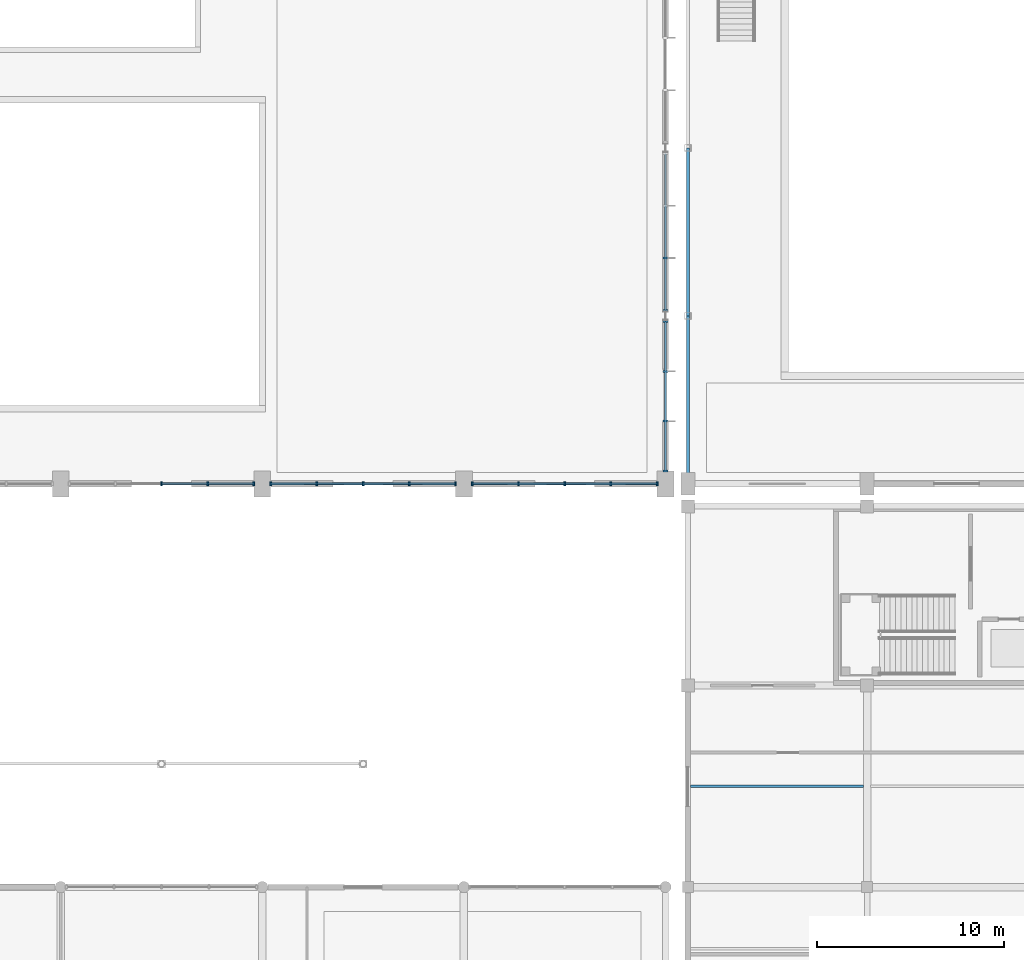
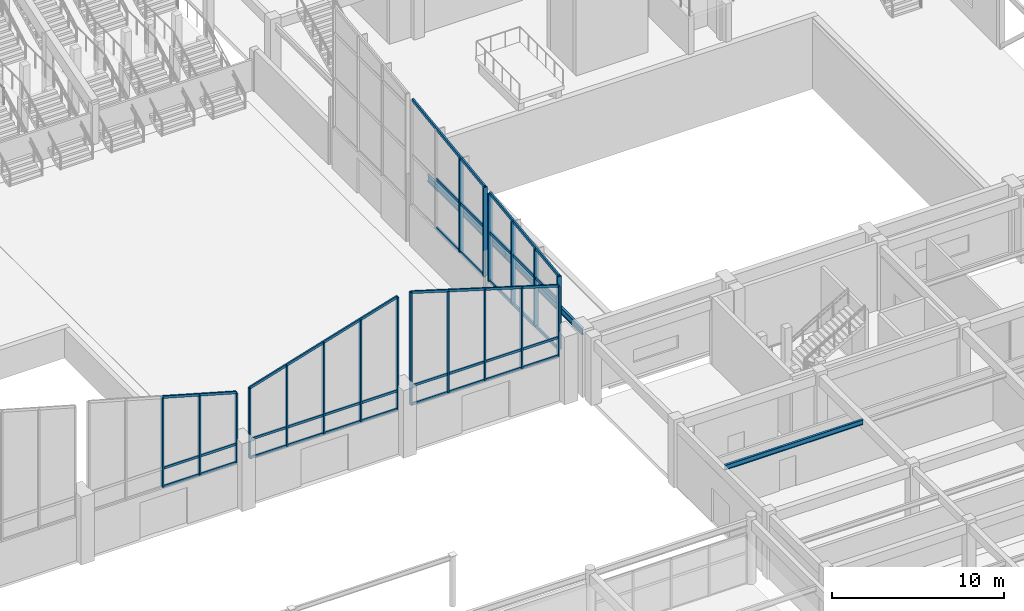
# One storey, part 35 of 82: 56 members, 3 beams, 5 elements without a shape of their own.
"""IFC4 building model written with IfcOpenShell, lengths in metres."""

from ifc_helpers import new_model, si_unit, direction, frame, origin, origin_2d, place, context, subcontext, project, spatial, rectangle, i_section, extrude, material, material_profile, profile_set, type_object, element, aggregate, save


model = new_model("IFC4")

# Units and contexts
model_context = context("Model", 3, precision=1e-05, world=origin(), true_north=direction((0.0, 1.0)))
body_context = subcontext(model_context, "Body", "Model", "MODEL_VIEW")
ifc_project = project(units=[si_unit("LENGTHUNIT", "METRE"), si_unit("AREAUNIT", "SQUARE_METRE"), si_unit("VOLUMEUNIT", "CUBIC_METRE"), si_unit("PLANEANGLEUNIT", "RADIAN"), si_unit("MASSUNIT", "GRAM", prefix="KILO")], contexts=[model_context])

# Site, building, storey
site_placement = place(None, origin())
site = spatial("IfcSite", under=ifc_project, at=site_placement, CompositionType="ELEMENT")
building_placement = place(site_placement, origin())
building = spatial("IfcBuilding", under=site, at=building_placement, Name="Suirenkawa Promenade Aquatics Centre", CompositionType="ELEMENT")
storey_placement = place(building_placement, origin())
storey = spatial("IfcBuildingStorey", under=building, at=storey_placement, Name="L00", CompositionType="ELEMENT", Elevation=0.0)

# Beams
ifc_material_1 = material(Name="Steel IS 2062 E350 (Grade 350)", Category="steel")
ifc_material_profile_1 = material_profile(ifc_material_1, i_section(OverallWidth=0.139892578125, OverallDepth=0.35009765625, WebThickness=0.008056640625, FlangeThickness=0.013916015625, at=origin_2d()), Name="ISMB 350", Category="steel")
ifc_profile_set_1 = profile_set([ifc_material_profile_1], Name="Steel IS 2062 E350 (Grade 350)")
beam_type_1 = type_object("IfcBeamType", Name="BT-JOIST-ISMB350", PredefinedType="JOIST", material=ifc_profile_set_1)
beam_placement = place(storey_placement, frame((156.14404296875, 34.199951171875, 4.363037109375), z_axis=(1.0, 0.0, 0.0), x_axis=(0.0, 1.0, 0.0)))
element("IfcBeam", 1, at=beam_placement, inside=storey, type_object=beam_type_1, Name="Secondary floor joist JS-03 BM-1660", PredefinedType="JOIST", context=body_context, shape_type="SweptSolid", body=[
    extrude(i_section(OverallWidth=0.139892578125, OverallDepth=0.35009765625, WebThickness=0.008056640625, FlangeThickness=0.013916015625, at=origin_2d()), origin(), (0.0, 0.0, 1.0), 9.261962890625),
])
ifc_material_profile_2 = material_profile(ifc_material_1, i_section(OverallWidth=0.14990234375, OverallDepth=0.449951171875, WebThickness=0.009033203125, FlangeThickness=0.01708984375, at=origin_2d()), Name="ISMB 450", Category="steel")
ifc_profile_set_2 = profile_set([ifc_material_profile_2], Name="Steel IS 2062 E350 (Grade 350)")
beam_type_2 = type_object("IfcBeamType", Name="BT-STL-ISMB450", PredefinedType="BEAM", material=ifc_profile_set_2)
for number, where, z_axis, x_axis, name in (
    (2, (156.0, 50.39990234375, 4.22509765625), (0.0, 1.0, 0.0), (-1.0, 0.0, 0.0), "Diving hall wind girt BM-08 BM-1345"),
    (3, (156.0, 59.39990234375, 4.22509765625), (0.0, 1.0, 0.0), (-1.0, 0.0, 0.0), "Diving hall wind girt BM-08 BM-1346"),
):
    element("IfcBeam", number, at=place(storey_placement, frame(where, z_axis=z_axis, x_axis=x_axis)), inside=storey, type_object=beam_type_2, Name=name, PredefinedType="BEAM", context=body_context, shape_type="SweptSolid", body=[
        extrude(i_section(OverallWidth=0.14990234375, OverallDepth=0.449951171875, WebThickness=0.009033203125, FlangeThickness=0.01708984375, at=origin_2d()), origin(), (0.0, 0.0, 1.0), 9.0),
    ])

# Curtain wall, members
ifc_material_2 = material(Name="Anodised aluminium 6063-T6", Category="aluminium")
curtain_wall_type_1 = type_object("IfcCurtainWallType", Name="CWAT-CLERS-12", PredefinedType="NOTDEFINED", material=ifc_material_2)
curtain_wall_1_placement = place(storey_placement, origin())
curtain_wall_1 = element("IfcCurtainWall", 4, at=curtain_wall_1_placement, inside=storey, type_object=curtain_wall_type_1, Name="Curtain wall CWA-12 CW-028", PredefinedType="NOTDEFINED")
ifc_material_profile_3 = material_profile(ifc_material_2, rectangle(XDim=0.10009765625, YDim=0.219970703125, at=origin_2d()), Name="ALU MULL 100x220", Category="aluminium")
ifc_profile_set_3 = profile_set([ifc_material_profile_3], Name="Anodised aluminium 6063-T6")
member_type_1 = type_object("IfcMemberType", Name="CWM-220x100", PredefinedType="MULLION", material=ifc_profile_set_3)
member_1_placement = place(storey_placement, frame((132.7509765625, 50.39990234375, 3.10009765625), z_axis=(0.0, 0.0, 1.0), x_axis=(-1.0, 0.0, 0.0)))
member_1 = element("IfcMember", 5, at=member_1_placement, type_object=member_type_1, Name="Mullion ML-01 CWM-00581", PredefinedType="MULLION", context=body_context, shape_type="SweptSolid", body=[
    extrude(rectangle(XDim=0.10009765625, YDim=0.219970703125, at=origin_2d()), origin(), (0.0, 0.0, 1.0), 4.949951171875),
])
member_2_placement = place(storey_placement, frame((130.275390625, 50.39990234375, 3.10009765625), z_axis=(0.0, 0.0, 1.0), x_axis=(-1.0, 0.0, 0.0)))
member_2 = element("IfcMember", 6, at=member_2_placement, type_object=member_type_1, Name="Mullion ML-01 CWM-00582", PredefinedType="MULLION", context=body_context, shape_type="SweptSolid", body=[
    extrude(rectangle(XDim=0.10009765625, YDim=0.219970703125, at=origin_2d()), origin(), (0.0, 0.0, 1.0), 5.64990234375),
])
member_3_placement = place(storey_placement, frame((127.800048828125, 50.39990234375, 3.10009765625), z_axis=(0.0, 0.0, 1.0), x_axis=(-1.0, 0.0, 0.0)))
member_3 = element("IfcMember", 7, at=member_3_placement, type_object=member_type_1, Name="Mullion ML-01 CWM-00583", PredefinedType="MULLION", context=body_context, shape_type="SweptSolid", body=[
    extrude(rectangle(XDim=0.10009765625, YDim=0.219970703125, at=origin_2d()), origin(), (0.0, 0.0, 1.0), 6.349853515625),
])

curtain_wall_type_2 = type_object("IfcCurtainWallType", Name="CWAT-CLERS-05", PredefinedType="NOTDEFINED", material=ifc_material_2)
curtain_wall_2_placement = place(storey_placement, origin())
curtain_wall_2 = element("IfcCurtainWall", 8, at=curtain_wall_2_placement, inside=storey, type_object=curtain_wall_type_2, Name="Curtain wall CWA-05 CW-030", PredefinedType="NOTDEFINED")
member_4_placement = place(storey_placement, frame((143.551025390625, 50.39990234375, 3.10009765625), z_axis=(0.0, 0.0, 1.0), x_axis=(-1.0, 0.0, 0.0)))
member_4 = element("IfcMember", 9, at=member_4_placement, type_object=member_type_1, Name="Mullion ML-01 CWM-00619", PredefinedType="MULLION", context=body_context, shape_type="SweptSolid", body=[
    extrude(rectangle(XDim=0.10009765625, YDim=0.219970703125, at=origin_2d()), origin(), (0.0, 0.0, 1.0), 7.949951171875),
])
member_5_placement = place(storey_placement, frame((141.075439453125, 50.39990234375, 3.10009765625), z_axis=(0.0, 0.0, 1.0), x_axis=(-1.0, 0.0, 0.0)))
member_5 = element("IfcMember", 10, at=member_5_placement, type_object=member_type_1, Name="Mullion ML-01 CWM-00620", PredefinedType="MULLION", context=body_context, shape_type="SweptSolid", body=[
    extrude(rectangle(XDim=0.10009765625, YDim=0.219970703125, at=origin_2d()), origin(), (0.0, 0.0, 1.0), 7.199951171875),
])
member_6_placement = place(storey_placement, frame((138.60009765625, 50.39990234375, 3.10009765625), z_axis=(0.0, 0.0, 1.0), x_axis=(-1.0, 0.0, 0.0)))
member_6 = element("IfcMember", 11, at=member_6_placement, type_object=member_type_1, Name="Mullion ML-01 CWM-00621", PredefinedType="MULLION", context=body_context, shape_type="SweptSolid", body=[
    extrude(rectangle(XDim=0.10009765625, YDim=0.219970703125, at=origin_2d()), origin(), (0.0, 0.0, 1.0), 6.449951171875),
])
member_7_placement = place(storey_placement, frame((136.12451171875, 50.39990234375, 3.10009765625), z_axis=(0.0, 0.0, 1.0), x_axis=(-1.0, 0.0, 0.0)))
member_7 = element("IfcMember", 12, at=member_7_placement, type_object=member_type_1, Name="Mullion ML-01 CWM-00622", PredefinedType="MULLION", context=body_context, shape_type="SweptSolid", body=[
    extrude(rectangle(XDim=0.10009765625, YDim=0.219970703125, at=origin_2d()), origin(), (0.0, 0.0, 1.0), 5.699951171875),
])
member_8_placement = place(storey_placement, frame((133.64892578125, 50.39990234375, 3.10009765625), z_axis=(0.0, 0.0, 1.0), x_axis=(-1.0, 0.0, 0.0)))
member_8 = element("IfcMember", 13, at=member_8_placement, type_object=member_type_1, Name="Mullion ML-01 CWM-00623", PredefinedType="MULLION", context=body_context, shape_type="SweptSolid", body=[
    extrude(rectangle(XDim=0.10009765625, YDim=0.219970703125, at=origin_2d()), origin(), (0.0, 0.0, 1.0), 4.949951171875),
])

curtain_wall_3_placement = place(storey_placement, origin())
curtain_wall_3 = element("IfcCurtainWall", 14, at=curtain_wall_3_placement, inside=storey, type_object=curtain_wall_type_2, Name="Curtain wall CWA-05 CW-032", PredefinedType="NOTDEFINED")
member_9_placement = place(storey_placement, frame((154.35107421875, 50.39990234375, 3.10009765625), z_axis=(0.0, 0.0, 1.0), x_axis=(-1.0, 0.0, 0.0)))
member_9 = element("IfcMember", 15, at=member_9_placement, type_object=member_type_1, Name="Mullion ML-01 CWM-00657", PredefinedType="MULLION", context=body_context, shape_type="SweptSolid", body=[
    extrude(rectangle(XDim=0.10009765625, YDim=0.219970703125, at=origin_2d()), origin(), (0.0, 0.0, 1.0), 4.949951171875),
])
member_10_placement = place(storey_placement, frame((151.87548828125, 50.39990234375, 3.10009765625), z_axis=(0.0, 0.0, 1.0), x_axis=(-1.0, 0.0, 0.0)))
member_10 = element("IfcMember", 16, at=member_10_placement, type_object=member_type_1, Name="Mullion ML-01 CWM-00658", PredefinedType="MULLION", context=body_context, shape_type="SweptSolid", body=[
    extrude(rectangle(XDim=0.10009765625, YDim=0.219970703125, at=origin_2d()), origin(), (0.0, 0.0, 1.0), 5.699951171875),
])
member_11_placement = place(storey_placement, frame((149.39990234375, 50.39990234375, 3.10009765625), z_axis=(0.0, 0.0, 1.0), x_axis=(-1.0, 0.0, 0.0)))
member_11 = element("IfcMember", 17, at=member_11_placement, type_object=member_type_1, Name="Mullion ML-01 CWM-00659", PredefinedType="MULLION", context=body_context, shape_type="SweptSolid", body=[
    extrude(rectangle(XDim=0.10009765625, YDim=0.219970703125, at=origin_2d()), origin(), (0.0, 0.0, 1.0), 6.449951171875),
])
member_12_placement = place(storey_placement, frame((146.924560546875, 50.39990234375, 3.10009765625), z_axis=(0.0, 0.0, 1.0), x_axis=(-1.0, 0.0, 0.0)))
member_12 = element("IfcMember", 18, at=member_12_placement, type_object=member_type_1, Name="Mullion ML-01 CWM-00660", PredefinedType="MULLION", context=body_context, shape_type="SweptSolid", body=[
    extrude(rectangle(XDim=0.10009765625, YDim=0.219970703125, at=origin_2d()), origin(), (0.0, 0.0, 1.0), 7.199951171875),
])
member_13_placement = place(storey_placement, frame((144.448974609375, 50.39990234375, 3.10009765625), z_axis=(0.0, 0.0, 1.0), x_axis=(-1.0, 0.0, 0.0)))
member_13 = element("IfcMember", 19, at=member_13_placement, type_object=member_type_1, Name="Mullion ML-01 CWM-00661", PredefinedType="MULLION", context=body_context, shape_type="SweptSolid", body=[
    extrude(rectangle(XDim=0.10009765625, YDim=0.219970703125, at=origin_2d()), origin(), (0.0, 0.0, 1.0), 7.949951171875),
])

curtain_wall_type_3 = type_object("IfcCurtainWallType", Name="CWAT-GABLEV1-01", PredefinedType="NOTDEFINED", material=ifc_material_2)
curtain_wall_4_placement = place(storey_placement, origin())
curtain_wall_4 = element("IfcCurtainWall", 20, at=curtain_wall_4_placement, inside=storey, type_object=curtain_wall_type_3, Name="Curtain wall CWA-01 CW-005", PredefinedType="NOTDEFINED")
ifc_material_profile_4 = material_profile(ifc_material_2, rectangle(XDim=0.110107421875, YDim=0.260009765625, at=origin_2d()), Name="ALU MULL 110x260", Category="aluminium")
ifc_profile_set_4 = profile_set([ifc_material_profile_4], Name="Anodised aluminium 6063-T6")
member_type_2 = type_object("IfcMemberType", Name="CWM-260x110", PredefinedType="MULLION", material=ifc_profile_set_4)
member_14_placement = place(storey_placement, frame((154.800048828125, 59.10107421875, 2.949951171875), z_axis=(0.0, 0.0, 1.0), x_axis=(0.0, -1.0, 0.0)))
member_14 = element("IfcMember", 21, at=member_14_placement, type_object=member_type_2, Name="Mullion ML-04 CWM-00103", PredefinedType="MULLION", context=body_context, shape_type="SweptSolid", body=[
    extrude(rectangle(XDim=0.110107421875, YDim=0.260009765625, at=origin_2d()), origin(), (0.0, 0.0, 1.0), 6.221435546875),
])
member_15_placement = place(storey_placement, frame((154.800048828125, 56.43359375, 2.949951171875), z_axis=(0.0, 0.0, 1.0), x_axis=(0.0, -1.0, 0.0)))
member_15 = element("IfcMember", 22, at=member_15_placement, type_object=member_type_2, Name="Mullion ML-04 CWM-00104", PredefinedType="MULLION", context=body_context, shape_type="SweptSolid", body=[
    extrude(rectangle(XDim=0.110107421875, YDim=0.260009765625, at=origin_2d()), origin(), (0.0, 0.0, 1.0), 5.877685546875),
])
member_16_placement = place(storey_placement, frame((154.800048828125, 53.766357421875, 2.949951171875), z_axis=(0.0, 0.0, 1.0), x_axis=(0.0, -1.0, 0.0)))
member_16 = element("IfcMember", 23, at=member_16_placement, type_object=member_type_2, Name="Mullion ML-04 CWM-00105", PredefinedType="MULLION", context=body_context, shape_type="SweptSolid", body=[
    extrude(rectangle(XDim=0.110107421875, YDim=0.260009765625, at=origin_2d()), origin(), (0.0, 0.0, 1.0), 5.533935546875),
])
member_17_placement = place(storey_placement, frame((154.800048828125, 51.09912109375, 2.949951171875), z_axis=(0.0, 0.0, 1.0), x_axis=(0.0, -1.0, 0.0)))
member_17 = element("IfcMember", 24, at=member_17_placement, type_object=member_type_2, Name="Mullion ML-04 CWM-00106", PredefinedType="MULLION", context=body_context, shape_type="SweptSolid", body=[
    extrude(rectangle(XDim=0.110107421875, YDim=0.260009765625, at=origin_2d()), origin(), (0.0, 0.0, 1.0), 5.190185546875),
])

curtain_wall_type_4 = type_object("IfcCurtainWallType", Name="CWAT-GABLEV1-02", PredefinedType="NOTDEFINED", material=ifc_material_2)
curtain_wall_5_placement = place(storey_placement, origin())
curtain_wall_5 = element("IfcCurtainWall", 25, at=curtain_wall_5_placement, inside=storey, type_object=curtain_wall_type_4, Name="Curtain wall CWA-02 CW-006", PredefinedType="NOTDEFINED")
member_18_placement = place(storey_placement, frame((154.800048828125, 62.499755859375, 2.949951171875), z_axis=(0.0, 0.0, 1.0), x_axis=(0.0, -1.0, 0.0)))
member_18 = element("IfcMember", 26, at=member_18_placement, type_object=member_type_2, Name="Mullion ML-04 CWM-00122", PredefinedType="MULLION", context=body_context, shape_type="SweptSolid", body=[
    extrude(rectangle(XDim=0.110107421875, YDim=0.260009765625, at=origin_2d()), origin(), (0.0, 0.0, 1.0), 6.65966796875),
])
member_19_placement = place(storey_placement, frame((154.800048828125, 59.698974609375, 2.949951171875), z_axis=(0.0, 0.0, 1.0), x_axis=(0.0, -1.0, 0.0)))
member_19 = element("IfcMember", 27, at=member_19_placement, type_object=member_type_2, Name="Mullion ML-04 CWM-00123", PredefinedType="MULLION", context=body_context, shape_type="SweptSolid", body=[
    extrude(rectangle(XDim=0.110107421875, YDim=0.260009765625, at=origin_2d()), origin(), (0.0, 0.0, 1.0), 6.298583984375),
])

# Member
ifc_material_profile_5 = material_profile(ifc_material_2, rectangle(XDim=0.10009765625, YDim=0.169921875, at=origin_2d()), Name="ALU TRAN 100x170", Category="aluminium")
ifc_profile_set_5 = profile_set([ifc_material_profile_5], Name="Anodised aluminium 6063-T6")
member_type_3 = type_object("IfcMemberType", Name="CWT-170x100", PredefinedType="USERDEFINED", material=ifc_profile_set_5)
member_20_placement = place(storey_placement, frame((132.7509765625, 50.39990234375, 3.10009765625), z_axis=(-1.0, 0.0, 0.0), x_axis=(0.0, -1.0, 0.0)))
member_20 = element("IfcMember", 28, at=member_20_placement, type_object=member_type_3, Name="Transom TR-01 CWT-00586", ObjectType="TRANSOM", PredefinedType="USERDEFINED", context=body_context, shape_type="SweptSolid", body=[
    extrude(rectangle(XDim=0.10009765625, YDim=0.169921875, at=origin_2d()), origin(), (0.0, 0.0, 1.0), 2.4755859375),
])

member_21_placement = place(storey_placement, frame((130.275390625, 50.39990234375, 3.10009765625), z_axis=(-1.0, 0.0, 0.0), x_axis=(0.0, -1.0, 0.0)))
member_21 = element("IfcMember", 29, at=member_21_placement, type_object=member_type_3, Name="Transom TR-01 CWT-00587", ObjectType="TRANSOM", PredefinedType="USERDEFINED", context=body_context, shape_type="SweptSolid", body=[
    extrude(rectangle(XDim=0.10009765625, YDim=0.169921875, at=origin_2d()), origin(), (0.0, 0.0, 1.0), 2.475341796875),
])

member_22_placement = place(storey_placement, frame((132.7509765625, 50.39990234375, 4.39990234375), z_axis=(-1.0, 0.0, 0.0), x_axis=(0.0, -1.0, 0.0)))
member_22 = element("IfcMember", 30, at=member_22_placement, type_object=member_type_3, Name="Transom TR-01 CWT-00590", ObjectType="TRANSOM", PredefinedType="USERDEFINED", context=body_context, shape_type="SweptSolid", body=[
    extrude(rectangle(XDim=0.10009765625, YDim=0.169921875, at=origin_2d()), origin(), (0.0, 0.0, 1.0), 2.4755859375),
])

member_23_placement = place(storey_placement, frame((130.275390625, 50.39990234375, 4.39990234375), z_axis=(-1.0, 0.0, 0.0), x_axis=(0.0, -1.0, 0.0)))
member_23 = element("IfcMember", 31, at=member_23_placement, type_object=member_type_3, Name="Transom TR-01 CWT-00591", ObjectType="TRANSOM", PredefinedType="USERDEFINED", context=body_context, shape_type="SweptSolid", body=[
    extrude(rectangle(XDim=0.10009765625, YDim=0.169921875, at=origin_2d()), origin(), (0.0, 0.0, 1.0), 2.475341796875),
])

member_24_placement = place(storey_placement, frame((132.7509765625, 50.39990234375, 8.050048828125), z_axis=(-0.962272408902, 0.0, 0.272087873793), x_axis=(0.0, -1.0, 0.0)))
member_24 = element("IfcMember", 32, at=member_24_placement, type_object=member_type_3, Name="Roofline transom TR-01 CWT-00594", ObjectType="TRANSOM", PredefinedType="USERDEFINED", context=body_context, shape_type="SweptSolid", body=[
    extrude(rectangle(XDim=0.10009765625, YDim=0.169921875, at=origin_2d()), origin(), (0.0, 0.0, 1.0), 5.14501953125),
])

aggregate(curtain_wall_1, [member_1, member_2, member_3, member_20, member_21, member_22, member_23, member_24])

member_25_placement = place(storey_placement, frame((143.551025390625, 50.39990234375, 3.10009765625), z_axis=(-1.0, 0.0, 0.0), x_axis=(0.0, -1.0, 0.0)))
member_25 = element("IfcMember", 33, at=member_25_placement, type_object=member_type_3, Name="Transom TR-01 CWT-00624", ObjectType="TRANSOM", PredefinedType="USERDEFINED", context=body_context, shape_type="SweptSolid", body=[
    extrude(rectangle(XDim=0.10009765625, YDim=0.169921875, at=origin_2d()), origin(), (0.0, 0.0, 1.0), 2.4755859375),
])

member_26_placement = place(storey_placement, frame((141.075439453125, 50.39990234375, 3.10009765625), z_axis=(-1.0, 0.0, 0.0), x_axis=(0.0, -1.0, 0.0)))
member_26 = element("IfcMember", 34, at=member_26_placement, type_object=member_type_3, Name="Transom TR-01 CWT-00625", ObjectType="TRANSOM", PredefinedType="USERDEFINED", context=body_context, shape_type="SweptSolid", body=[
    extrude(rectangle(XDim=0.10009765625, YDim=0.169921875, at=origin_2d()), origin(), (0.0, 0.0, 1.0), 2.475341796875),
])

member_27_placement = place(storey_placement, frame((138.60009765625, 50.39990234375, 3.10009765625), z_axis=(-1.0, 0.0, 0.0), x_axis=(0.0, -1.0, 0.0)))
member_27 = element("IfcMember", 35, at=member_27_placement, type_object=member_type_3, Name="Transom TR-01 CWT-00626", ObjectType="TRANSOM", PredefinedType="USERDEFINED", context=body_context, shape_type="SweptSolid", body=[
    extrude(rectangle(XDim=0.10009765625, YDim=0.169921875, at=origin_2d()), origin(), (0.0, 0.0, 1.0), 2.4755859375),
])

member_28_placement = place(storey_placement, frame((136.12451171875, 50.39990234375, 3.10009765625), z_axis=(-1.0, 0.0, 0.0), x_axis=(0.0, -1.0, 0.0)))
member_28 = element("IfcMember", 36, at=member_28_placement, type_object=member_type_3, Name="Transom TR-01 CWT-00627", ObjectType="TRANSOM", PredefinedType="USERDEFINED", context=body_context, shape_type="SweptSolid", body=[
    extrude(rectangle(XDim=0.10009765625, YDim=0.169921875, at=origin_2d()), origin(), (0.0, 0.0, 1.0), 2.4755859375),
])

member_29_placement = place(storey_placement, frame((143.551025390625, 50.39990234375, 4.39990234375), z_axis=(-1.0, 0.0, 0.0), x_axis=(0.0, -1.0, 0.0)))
member_29 = element("IfcMember", 37, at=member_29_placement, type_object=member_type_3, Name="Transom TR-01 CWT-00628", ObjectType="TRANSOM", PredefinedType="USERDEFINED", context=body_context, shape_type="SweptSolid", body=[
    extrude(rectangle(XDim=0.10009765625, YDim=0.169921875, at=origin_2d()), origin(), (0.0, 0.0, 1.0), 2.4755859375),
])

member_30_placement = place(storey_placement, frame((141.075439453125, 50.39990234375, 4.39990234375), z_axis=(-1.0, 0.0, 0.0), x_axis=(0.0, -1.0, 0.0)))
member_30 = element("IfcMember", 38, at=member_30_placement, type_object=member_type_3, Name="Transom TR-01 CWT-00629", ObjectType="TRANSOM", PredefinedType="USERDEFINED", context=body_context, shape_type="SweptSolid", body=[
    extrude(rectangle(XDim=0.10009765625, YDim=0.169921875, at=origin_2d()), origin(), (0.0, 0.0, 1.0), 2.475341796875),
])

member_31_placement = place(storey_placement, frame((138.60009765625, 50.39990234375, 4.39990234375), z_axis=(-1.0, 0.0, 0.0), x_axis=(0.0, -1.0, 0.0)))
member_31 = element("IfcMember", 39, at=member_31_placement, type_object=member_type_3, Name="Transom TR-01 CWT-00630", ObjectType="TRANSOM", PredefinedType="USERDEFINED", context=body_context, shape_type="SweptSolid", body=[
    extrude(rectangle(XDim=0.10009765625, YDim=0.169921875, at=origin_2d()), origin(), (0.0, 0.0, 1.0), 2.4755859375),
])

member_32_placement = place(storey_placement, frame((136.12451171875, 50.39990234375, 4.39990234375), z_axis=(-1.0, 0.0, 0.0), x_axis=(0.0, -1.0, 0.0)))
member_32 = element("IfcMember", 40, at=member_32_placement, type_object=member_type_3, Name="Transom TR-01 CWT-00631", ObjectType="TRANSOM", PredefinedType="USERDEFINED", context=body_context, shape_type="SweptSolid", body=[
    extrude(rectangle(XDim=0.10009765625, YDim=0.169921875, at=origin_2d()), origin(), (0.0, 0.0, 1.0), 2.4755859375),
])

member_33_placement = place(storey_placement, frame((143.551025390625, 50.39990234375, 11.050048828125), z_axis=(-0.957039486046, 0.0, -0.289957621296), x_axis=(0.0, -1.0, 0.0)))
member_33 = element("IfcMember", 41, at=member_33_placement, type_object=member_type_3, Name="Roofline transom TR-01 CWT-00632", ObjectType="TRANSOM", PredefinedType="USERDEFINED", context=body_context, shape_type="SweptSolid", body=[
    extrude(rectangle(XDim=0.10009765625, YDim=0.169921875, at=origin_2d()), origin(), (0.0, 0.0, 1.0), 5.173095703125),
])

member_34_placement = place(storey_placement, frame((138.60009765625, 50.39990234375, 9.550048828125), z_axis=(-0.957043453601, 0.0, -0.289944525588), x_axis=(0.0, -1.0, 0.0)))
member_34 = element("IfcMember", 42, at=member_34_placement, type_object=member_type_3, Name="Roofline transom TR-01 CWT-00633", ObjectType="TRANSOM", PredefinedType="USERDEFINED", context=body_context, shape_type="SweptSolid", body=[
    extrude(rectangle(XDim=0.10009765625, YDim=0.169921875, at=origin_2d()), origin(), (0.0, 0.0, 1.0), 5.17333984375),
])

aggregate(curtain_wall_2, [member_4, member_5, member_6, member_7, member_8, member_25, member_26, member_27, member_28, member_29, member_30, member_31, member_32, member_33, member_34])

member_35_placement = place(storey_placement, frame((154.35107421875, 50.39990234375, 3.10009765625), z_axis=(-1.0, 0.0, 0.0), x_axis=(0.0, -1.0, 0.0)))
member_35 = element("IfcMember", 43, at=member_35_placement, type_object=member_type_3, Name="Transom TR-01 CWT-00662", ObjectType="TRANSOM", PredefinedType="USERDEFINED", context=body_context, shape_type="SweptSolid", body=[
    extrude(rectangle(XDim=0.10009765625, YDim=0.169921875, at=origin_2d()), origin(), (0.0, 0.0, 1.0), 2.4755859375),
])

member_36_placement = place(storey_placement, frame((151.87548828125, 50.39990234375, 3.10009765625), z_axis=(-1.0, 0.0, 0.0), x_axis=(0.0, -1.0, 0.0)))
member_36 = element("IfcMember", 44, at=member_36_placement, type_object=member_type_3, Name="Transom TR-01 CWT-00663", ObjectType="TRANSOM", PredefinedType="USERDEFINED", context=body_context, shape_type="SweptSolid", body=[
    extrude(rectangle(XDim=0.10009765625, YDim=0.169921875, at=origin_2d()), origin(), (0.0, 0.0, 1.0), 2.4755859375),
])

member_37_placement = place(storey_placement, frame((149.39990234375, 50.39990234375, 3.10009765625), z_axis=(-1.0, 0.0, 0.0), x_axis=(0.0, -1.0, 0.0)))
member_37 = element("IfcMember", 45, at=member_37_placement, type_object=member_type_3, Name="Transom TR-01 CWT-00664", ObjectType="TRANSOM", PredefinedType="USERDEFINED", context=body_context, shape_type="SweptSolid", body=[
    extrude(rectangle(XDim=0.10009765625, YDim=0.169921875, at=origin_2d()), origin(), (0.0, 0.0, 1.0), 2.475341796875),
])

member_38_placement = place(storey_placement, frame((146.924560546875, 50.39990234375, 3.10009765625), z_axis=(-1.0, 0.0, 0.0), x_axis=(0.0, -1.0, 0.0)))
member_38 = element("IfcMember", 46, at=member_38_placement, type_object=member_type_3, Name="Transom TR-01 CWT-00665", ObjectType="TRANSOM", PredefinedType="USERDEFINED", context=body_context, shape_type="SweptSolid", body=[
    extrude(rectangle(XDim=0.10009765625, YDim=0.169921875, at=origin_2d()), origin(), (0.0, 0.0, 1.0), 2.4755859375),
])

member_39_placement = place(storey_placement, frame((154.35107421875, 50.39990234375, 4.39990234375), z_axis=(-1.0, 0.0, 0.0), x_axis=(0.0, -1.0, 0.0)))
member_39 = element("IfcMember", 47, at=member_39_placement, type_object=member_type_3, Name="Transom TR-01 CWT-00666", ObjectType="TRANSOM", PredefinedType="USERDEFINED", context=body_context, shape_type="SweptSolid", body=[
    extrude(rectangle(XDim=0.10009765625, YDim=0.169921875, at=origin_2d()), origin(), (0.0, 0.0, 1.0), 2.4755859375),
])

member_40_placement = place(storey_placement, frame((151.87548828125, 50.39990234375, 4.39990234375), z_axis=(-1.0, 0.0, 0.0), x_axis=(0.0, -1.0, 0.0)))
member_40 = element("IfcMember", 48, at=member_40_placement, type_object=member_type_3, Name="Transom TR-01 CWT-00667", ObjectType="TRANSOM", PredefinedType="USERDEFINED", context=body_context, shape_type="SweptSolid", body=[
    extrude(rectangle(XDim=0.10009765625, YDim=0.169921875, at=origin_2d()), origin(), (0.0, 0.0, 1.0), 2.4755859375),
])

member_41_placement = place(storey_placement, frame((149.39990234375, 50.39990234375, 4.39990234375), z_axis=(-1.0, 0.0, 0.0), x_axis=(0.0, -1.0, 0.0)))
member_41 = element("IfcMember", 49, at=member_41_placement, type_object=member_type_3, Name="Transom TR-01 CWT-00668", ObjectType="TRANSOM", PredefinedType="USERDEFINED", context=body_context, shape_type="SweptSolid", body=[
    extrude(rectangle(XDim=0.10009765625, YDim=0.169921875, at=origin_2d()), origin(), (0.0, 0.0, 1.0), 2.475341796875),
])

member_42_placement = place(storey_placement, frame((146.924560546875, 50.39990234375, 4.39990234375), z_axis=(-1.0, 0.0, 0.0), x_axis=(0.0, -1.0, 0.0)))
member_42 = element("IfcMember", 50, at=member_42_placement, type_object=member_type_3, Name="Transom TR-01 CWT-00669", ObjectType="TRANSOM", PredefinedType="USERDEFINED", context=body_context, shape_type="SweptSolid", body=[
    extrude(rectangle(XDim=0.10009765625, YDim=0.169921875, at=origin_2d()), origin(), (0.0, 0.0, 1.0), 2.4755859375),
])

member_43_placement = place(storey_placement, frame((154.35107421875, 50.39990234375, 8.050048828125), z_axis=(-0.957043453601, 0.0, 0.289944525588), x_axis=(0.0, -1.0, 0.0)))
member_43 = element("IfcMember", 51, at=member_43_placement, type_object=member_type_3, Name="Roofline transom TR-01 CWT-00670", ObjectType="TRANSOM", PredefinedType="USERDEFINED", context=body_context, shape_type="SweptSolid", body=[
    extrude(rectangle(XDim=0.10009765625, YDim=0.169921875, at=origin_2d()), origin(), (0.0, 0.0, 1.0), 5.17333984375),
])

member_44_placement = place(storey_placement, frame((149.39990234375, 50.39990234375, 9.550048828125), z_axis=(-0.957039486046, 0.0, 0.289957621296), x_axis=(0.0, -1.0, 0.0)))
member_44 = element("IfcMember", 52, at=member_44_placement, type_object=member_type_3, Name="Roofline transom TR-01 CWT-00671", ObjectType="TRANSOM", PredefinedType="USERDEFINED", context=body_context, shape_type="SweptSolid", body=[
    extrude(rectangle(XDim=0.10009765625, YDim=0.169921875, at=origin_2d()), origin(), (0.0, 0.0, 1.0), 5.173095703125),
])

aggregate(curtain_wall_3, [member_9, member_10, member_11, member_12, member_13, member_35, member_36, member_37, member_38, member_39, member_40, member_41, member_42, member_43, member_44])

ifc_material_profile_6 = material_profile(ifc_material_2, rectangle(XDim=0.110107421875, YDim=0.2099609375, at=origin_2d()), Name="ALU TRAN 110x210", Category="aluminium")
ifc_profile_set_6 = profile_set([ifc_material_profile_6], Name="Anodised aluminium 6063-T6")
member_type_4 = type_object("IfcMemberType", Name="CWT-210x110", PredefinedType="USERDEFINED", material=ifc_profile_set_6)
member_45_placement = place(storey_placement, frame((154.800048828125, 59.10107421875, 2.949951171875), z_axis=(0.0, -1.0, 0.0), x_axis=(1.0, 0.0, 0.0)))
member_45 = element("IfcMember", 53, at=member_45_placement, type_object=member_type_4, Name="Transom TR-04 CWT-00107", ObjectType="TRANSOM", PredefinedType="USERDEFINED", context=body_context, shape_type="SweptSolid", body=[
    extrude(rectangle(XDim=0.110107421875, YDim=0.2099609375, at=origin_2d()), origin(), (0.0, 0.0, 1.0), 2.66748046875),
])

member_46_placement = place(storey_placement, frame((154.800048828125, 56.43359375, 2.949951171875), z_axis=(0.0, -1.0, 0.0), x_axis=(1.0, 0.0, 0.0)))
member_46 = element("IfcMember", 54, at=member_46_placement, type_object=member_type_4, Name="Transom TR-04 CWT-00108", ObjectType="TRANSOM", PredefinedType="USERDEFINED", context=body_context, shape_type="SweptSolid", body=[
    extrude(rectangle(XDim=0.110107421875, YDim=0.2099609375, at=origin_2d()), origin(), (0.0, 0.0, 1.0), 2.667236328125),
])

member_47_placement = place(storey_placement, frame((154.800048828125, 53.766357421875, 2.949951171875), z_axis=(0.0, -1.0, 0.0), x_axis=(1.0, 0.0, 0.0)))
member_47 = element("IfcMember", 55, at=member_47_placement, type_object=member_type_4, Name="Transom TR-04 CWT-00109", ObjectType="TRANSOM", PredefinedType="USERDEFINED", context=body_context, shape_type="SweptSolid", body=[
    extrude(rectangle(XDim=0.110107421875, YDim=0.2099609375, at=origin_2d()), origin(), (0.0, 0.0, 1.0), 2.667236328125),
])

member_48_placement = place(storey_placement, frame((154.800048828125, 59.10107421875, 6.39990234375), z_axis=(0.0, -1.0, 0.0), x_axis=(1.0, 0.0, 0.0)))
member_48 = element("IfcMember", 56, at=member_48_placement, type_object=member_type_4, Name="Transom TR-04 CWT-00110", ObjectType="TRANSOM", PredefinedType="USERDEFINED", context=body_context, shape_type="SweptSolid", body=[
    extrude(rectangle(XDim=0.110107421875, YDim=0.2099609375, at=origin_2d()), origin(), (0.0, 0.0, 1.0), 2.66748046875),
])

member_49_placement = place(storey_placement, frame((154.800048828125, 56.43359375, 6.39990234375), z_axis=(0.0, -1.0, 0.0), x_axis=(1.0, 0.0, 0.0)))
member_49 = element("IfcMember", 57, at=member_49_placement, type_object=member_type_4, Name="Transom TR-04 CWT-00111", ObjectType="TRANSOM", PredefinedType="USERDEFINED", context=body_context, shape_type="SweptSolid", body=[
    extrude(rectangle(XDim=0.110107421875, YDim=0.2099609375, at=origin_2d()), origin(), (0.0, 0.0, 1.0), 2.667236328125),
])

member_50_placement = place(storey_placement, frame((154.800048828125, 53.766357421875, 6.39990234375), z_axis=(0.0, -1.0, 0.0), x_axis=(1.0, 0.0, 0.0)))
member_50 = element("IfcMember", 58, at=member_50_placement, type_object=member_type_4, Name="Transom TR-04 CWT-00112", ObjectType="TRANSOM", PredefinedType="USERDEFINED", context=body_context, shape_type="SweptSolid", body=[
    extrude(rectangle(XDim=0.110107421875, YDim=0.2099609375, at=origin_2d()), origin(), (0.0, 0.0, 1.0), 2.667236328125),
])

member_51_placement = place(storey_placement, frame((154.800048828125, 59.10107421875, 9.17138671875), z_axis=(0.0, -0.991797676968, -0.1278177138), x_axis=(1.0, 0.0, 0.0)))
member_51 = element("IfcMember", 59, at=member_51_placement, type_object=member_type_4, Name="Roofline transom TR-04 CWT-00113", ObjectType="TRANSOM", PredefinedType="USERDEFINED", context=body_context, shape_type="SweptSolid", body=[
    extrude(rectangle(XDim=0.110107421875, YDim=0.2099609375, at=origin_2d()), origin(), (0.0, 0.0, 1.0), 8.068115234375),
])

aggregate(curtain_wall_4, [member_14, member_15, member_16, member_17, member_45, member_46, member_47, member_48, member_49, member_50, member_51])

member_52_placement = place(storey_placement, frame((154.800048828125, 65.30029296875, 2.949951171875), z_axis=(0.0, -1.0, 0.0), x_axis=(1.0, 0.0, 0.0)))
member_52 = element("IfcMember", 60, at=member_52_placement, type_object=member_type_4, Name="Transom TR-04 CWT-00125", ObjectType="TRANSOM", PredefinedType="USERDEFINED", context=body_context, shape_type="SweptSolid", body=[
    extrude(rectangle(XDim=0.110107421875, YDim=0.2099609375, at=origin_2d()), origin(), (0.0, 0.0, 1.0), 2.800537109375),
])

member_53_placement = place(storey_placement, frame((154.800048828125, 62.499755859375, 2.949951171875), z_axis=(0.0, -1.0, 0.0), x_axis=(1.0, 0.0, 0.0)))
member_53 = element("IfcMember", 61, at=member_53_placement, type_object=member_type_4, Name="Transom TR-04 CWT-00126", ObjectType="TRANSOM", PredefinedType="USERDEFINED", context=body_context, shape_type="SweptSolid", body=[
    extrude(rectangle(XDim=0.110107421875, YDim=0.2099609375, at=origin_2d()), origin(), (0.0, 0.0, 1.0), 2.80078125),
])

member_54_placement = place(storey_placement, frame((154.800048828125, 65.30029296875, 6.39990234375), z_axis=(0.0, -1.0, 0.0), x_axis=(1.0, 0.0, 0.0)))
member_54 = element("IfcMember", 62, at=member_54_placement, type_object=member_type_4, Name="Transom TR-04 CWT-00128", ObjectType="TRANSOM", PredefinedType="USERDEFINED", context=body_context, shape_type="SweptSolid", body=[
    extrude(rectangle(XDim=0.110107421875, YDim=0.2099609375, at=origin_2d()), origin(), (0.0, 0.0, 1.0), 2.800537109375),
])

member_55_placement = place(storey_placement, frame((154.800048828125, 62.499755859375, 6.39990234375), z_axis=(0.0, -1.0, 0.0), x_axis=(1.0, 0.0, 0.0)))
member_55 = element("IfcMember", 63, at=member_55_placement, type_object=member_type_4, Name="Transom TR-04 CWT-00129", ObjectType="TRANSOM", PredefinedType="USERDEFINED", context=body_context, shape_type="SweptSolid", body=[
    extrude(rectangle(XDim=0.110107421875, YDim=0.2099609375, at=origin_2d()), origin(), (0.0, 0.0, 1.0), 2.80078125),
])

member_56_placement = place(storey_placement, frame((154.800048828125, 68.10107421875, 10.33154296875), z_axis=(0.0, -0.99179484823, -0.12783966139), x_axis=(1.0, 0.0, 0.0)))
member_56 = element("IfcMember", 64, at=member_56_placement, type_object=member_type_4, Name="Roofline transom TR-04 CWT-00130", ObjectType="TRANSOM", PredefinedType="USERDEFINED", context=body_context, shape_type="SweptSolid", body=[
    extrude(rectangle(XDim=0.110107421875, YDim=0.2099609375, at=origin_2d()), origin(), (0.0, 0.0, 1.0), 8.4716796875),
])

aggregate(curtain_wall_5, [member_18, member_19, member_52, member_53, member_54, member_55, member_56])

save(model, "model.ifc")
